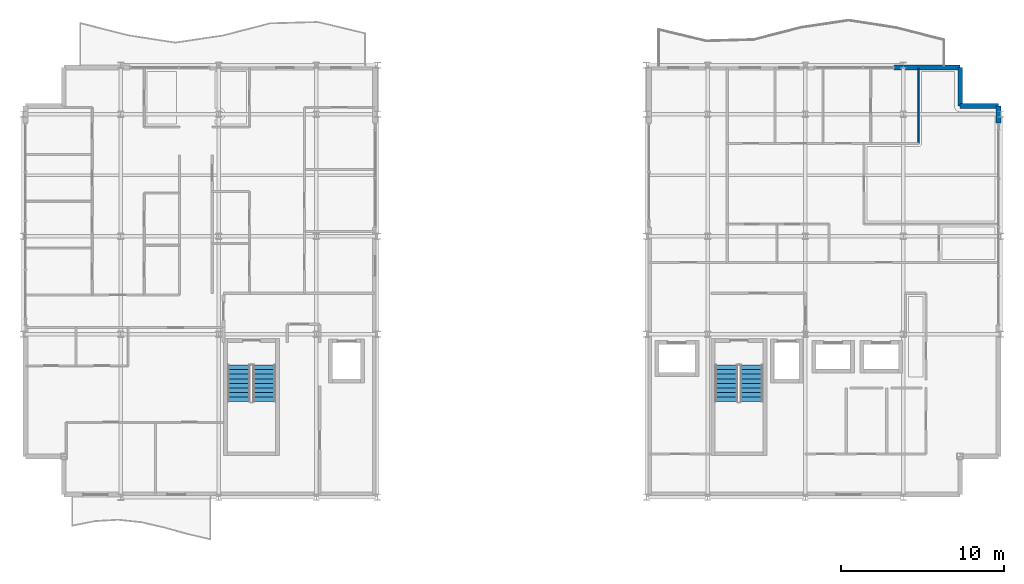
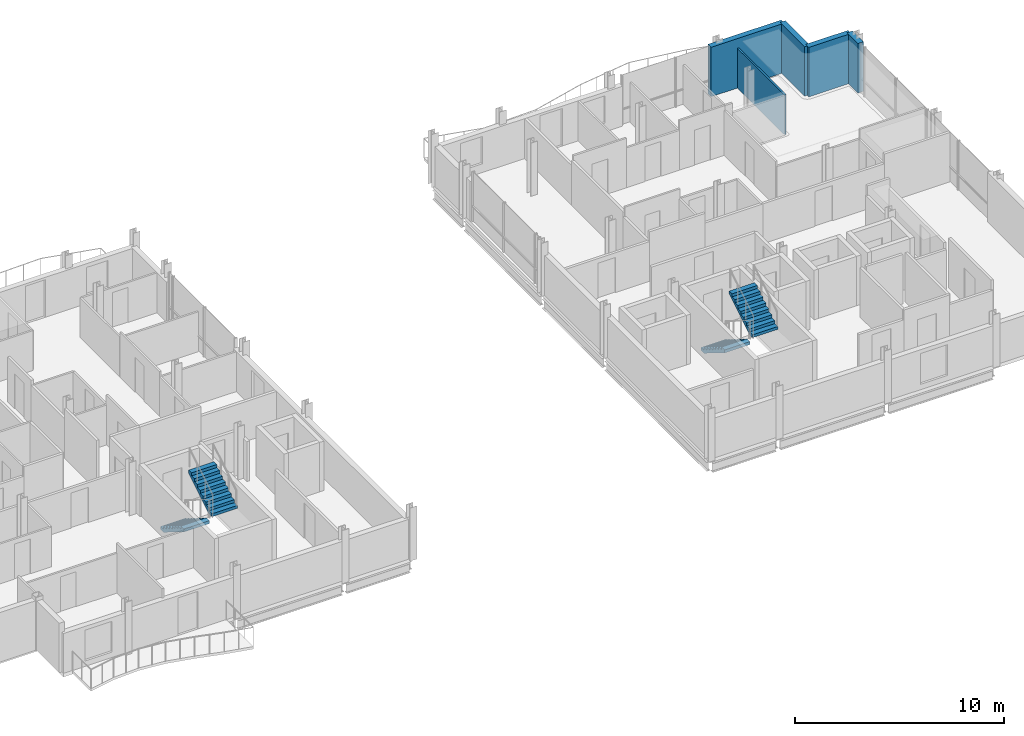
# One storey, part 27 of 29: 5 walls, 4 stair flights, 2 elements without a shape of their own.
"""IFC4 building model written with IfcOpenShell, lengths in metres."""

from ifc_helpers import new_model, si_unit, direction, frame, frame_2d, origin, place, context, subcontext, project, spatial, polyline, rectangle, outline, extrude, material, layer, layer_set, type_object, element, aggregate, save


model = new_model("IFC4")

# Units and contexts
model_context = context("Model", 3, precision=1e-05, world=origin(), true_north=direction((0.0, 1.0)))
body_context = subcontext(model_context, "Body", "Model", "MODEL_VIEW")
ifc_project = project(units=[si_unit("LENGTHUNIT", "METRE"), si_unit("AREAUNIT", "SQUARE_METRE"), si_unit("VOLUMEUNIT", "CUBIC_METRE"), si_unit("PLANEANGLEUNIT", "RADIAN"), si_unit("MASSUNIT", "GRAM", prefix="KILO")], contexts=[model_context])

# Site, building, storey
site_placement = place(None, origin())
site = spatial("IfcSite", under=ifc_project, at=site_placement, CompositionType="ELEMENT")
building_placement = place(site_placement, origin())
building = spatial("IfcBuilding", under=site, at=building_placement, Name="Brevholm Reach", CompositionType="ELEMENT")
storey_placement = place(building_placement, frame((0.0, 0.0, 208.0)))
storey = spatial("IfcBuildingStorey", under=building, at=storey_placement, Name="L63", CompositionType="ELEMENT", Elevation=208.0)

# Walls
ifc_material_1 = material(Name="Concrete C40/50", Category="concrete")
ifc_layer_1 = layer(ifc_material_1, 0.300048828125)
ifc_layer_set_1 = layer_set([ifc_layer_1], Name="Concrete C40/50")
wall_type_1 = type_object("IfcWallType", Name="WAL-EXT-300", PredefinedType="STANDARD", material=ifc_layer_set_1)
for number, where, z_axis, x_axis, name in (
    (1, (59.85009765625, 24.0, 0.0), (0.0, 0.0, 1.0), (-1.0, 0.0, 0.0), "L63 Facade Wall WAL-L63-EW-CNE1"),
    (2, (57.5, 24.0, 0.0), (0.0, 0.0, 1.0), (0.0, 1.0, 0.0), "L63 Facade Wall WAL-L63-EW-CNE2"),
):
    element("IfcWall", number, at=place(storey_placement, frame(where, z_axis=z_axis, x_axis=x_axis)), inside=storey, type_object=wall_type_1, Name=name, PredefinedType="STANDARD", context=body_context, shape_type="SweptSolid", body=[
        extrude(rectangle(XDim=2.35009765625, YDim=0.300048828125, at=frame_2d((1.175048828125, 0.0))), origin(), (0.0, 0.0, 1.0), 2.889892578125),
    ])
wall_1_placement = place(storey_placement, frame((59.85009765625, 22.949951171875, 0.0), z_axis=(0.0, 0.0, 1.0), x_axis=(0.0, 1.0, 0.0)))
element("IfcWall", 3, at=wall_1_placement, inside=storey, type_object=wall_type_1, Name="L63 Facade Wall WAL-L63-EW-EN", PredefinedType="STANDARD", context=body_context, shape_type="SweptSolid", body=[
    extrude(rectangle(XDim=1.050048828125, YDim=0.300048828125, at=frame_2d((0.52490234375, 0.0))), origin(), (0.0, 0.0, 1.0), 2.889892578125),
])
wall_2_placement = place(storey_placement, frame((53.449951171875, 26.35009765625, 0.0), z_axis=(0.0, 0.0, 1.0), x_axis=(1.0, 0.0, 0.0)))
element("IfcWall", 4, at=wall_2_placement, inside=storey, type_object=wall_type_1, Name="L63 Facade Wall WAL-L63-EW-NP2", PredefinedType="STANDARD", context=body_context, shape_type="SweptSolid", body=[
    extrude(rectangle(XDim=4.050048828125, YDim=0.300048828125, at=frame_2d((2.02490234375, 0.0))), origin(), (0.0, 0.0, 1.0), 2.889892578125),
])
ifc_material_2 = material(Name="Moisture-Resistant Acoustic Gypsum Stud Partition 100 mm", Category="gypsum")
ifc_layer_2 = layer(ifc_material_2, 0.10009765625)
ifc_layer_set_2 = layer_set([ifc_layer_2], Name="Moisture-Resistant Acoustic Gypsum Stud Partition 100 mm")
wall_type_2 = type_object("IfcWallType", Name="WAL-PRT-100", PredefinedType="PARTITIONING", material=ifc_layer_set_2)
wall_3_placement = place(storey_placement, frame((54.949951171875, 21.699951171875, 0.0), z_axis=(0.0, 0.0, 1.0), x_axis=(0.0, 1.0, 0.0)))
element("IfcWall", 5, at=wall_3_placement, inside=storey, type_object=wall_type_2, Name="L63 Internal Partition 090", PredefinedType="PARTITIONING", context=body_context, shape_type="SweptSolid", body=[
    extrude(rectangle(XDim=4.60009765625, YDim=0.10009765625, at=frame_2d((2.300048828125, 0.0))), origin(), (0.0, 0.0, 1.0), 2.325439453125),
])

# Stair, stair flights
ifc_material_3 = material(Name="Precast Concrete C40/50", Category="concrete")
stair_type = type_object("IfcStairType", Name="STR-ESC-1400", PredefinedType="DOUBLE_RETURN_STAIR", material=ifc_material_3)
stair_1_placement = place(storey_placement, origin())
stair_1 = element("IfcStair", 6, at=stair_1_placement, inside=storey, type_object=stair_type, Name="L63 ST-1", PredefinedType="DOUBLE_RETURN_STAIR")
ifc_material_4 = material(Name="Precast Concrete C40/50", Category="concrete")
ifc_layer_3 = layer(ifc_material_4, 0.18505859375)
ifc_layer_set_3 = layer_set([ifc_layer_3], Name="Precast Concrete C40/50")
stair_flight_type = type_object("IfcStairFlightType", Name="STF-PRC-185", PredefinedType="STRAIGHT", material=ifc_layer_set_3)
stair_flight_1_placement = place(storey_placement, frame((13.25, 8.10009765625, 0.0), z_axis=(0.0, 0.0, 1.0), x_axis=(0.0, -1.0, 0.0)))
stair_flight_1 = element("IfcStairFlight", 7, at=stair_flight_1_placement, type_object=stair_flight_type, Name="ST-1 flight 1", NumberOfRisers=9, NumberOfTreads=8, PredefinedType="STRAIGHT", RiserHeight=0.172222222, TreadLength=0.28, context=body_context, shape_type="SweptSolid", body=[
    extrude(outline(polyline([(0.0, 0.0), (0.0, 0.172119140625), (0.280029296875, 0.172119140625), (0.280029296875, 0.344482421875), (0.56005859375, 0.344482421875), (0.56005859375, 0.5166015625), (0.840087890625, 0.5166015625), (0.840087890625, 0.68896484375), (1.1201171875, 0.68896484375), (1.1201171875, 0.861083984375), (1.39990234375, 0.861083984375), (1.39990234375, 1.033447265625), (1.679931640625, 1.033447265625), (1.679931640625, 1.20556640625), (1.9599609375, 1.20556640625), (1.9599609375, 1.377685546875), (2.239990234375, 1.377685546875), (2.239990234375, 1.550048828125), (2.239990234375, 1.201904296875), (0.2861328125, 0.0), (0.0, 0.0)])), frame((0.0, 0.699951171875, 0.0), z_axis=(0.0, -1.0, 0.0), x_axis=(1.0, 0.0, 0.0)), (0.0, 0.0, 1.0), 1.39990234375),
])
stair_flight_2_placement = place(storey_placement, frame((14.800048828125, 5.860107421875, 1.550048828125), z_axis=(0.0, 0.0, 1.0), x_axis=(0.0, 1.0, 0.0)))
stair_flight_2 = element("IfcStairFlight", 8, at=stair_flight_2_placement, type_object=stair_flight_type, Name="ST-1 flight 2", NumberOfRisers=9, NumberOfTreads=8, PredefinedType="STRAIGHT", RiserHeight=0.172222222, TreadLength=0.28, context=body_context, shape_type="SweptSolid", body=[
    extrude(outline(polyline([(0.0, 0.0), (0.0, 0.172119140625), (0.280029296875, 0.172119140625), (0.280029296875, 0.344482421875), (0.56005859375, 0.344482421875), (0.56005859375, 0.5166015625), (0.840087890625, 0.5166015625), (0.840087890625, 0.68896484375), (1.1201171875, 0.68896484375), (1.1201171875, 0.861083984375), (1.39990234375, 0.861083984375), (1.39990234375, 1.033447265625), (1.679931640625, 1.033447265625), (1.679931640625, 1.20556640625), (1.9599609375, 1.20556640625), (1.9599609375, 1.377685546875), (2.239990234375, 1.377685546875), (2.239990234375, 1.550048828125), (2.239990234375, 1.201904296875), (0.2861328125, 0.0), (0.0, 0.0)])), frame((0.0, 0.699951171875, 0.0), z_axis=(0.0, -1.0, 0.0), x_axis=(1.0, 0.0, 0.0)), (0.0, 0.0, 1.0), 1.39990234375),
])
aggregate(stair_1, [stair_flight_1, stair_flight_2])

stair_2_placement = place(storey_placement, origin())
stair_2 = element("IfcStair", 9, at=stair_2_placement, inside=storey, type_object=stair_type, Name="L63 ST-2", PredefinedType="DOUBLE_RETURN_STAIR")
stair_flight_3_placement = place(storey_placement, frame((43.14990234375, 8.10009765625, 0.0), z_axis=(0.0, 0.0, 1.0), x_axis=(0.0, -1.0, 0.0)))
stair_flight_3 = element("IfcStairFlight", 10, at=stair_flight_3_placement, type_object=stair_flight_type, Name="ST-2 flight 1", NumberOfRisers=9, NumberOfTreads=8, PredefinedType="STRAIGHT", RiserHeight=0.172222222, TreadLength=0.28, context=body_context, shape_type="SweptSolid", body=[
    extrude(outline(polyline([(0.0, 0.0), (0.0, 0.172119140625), (0.280029296875, 0.172119140625), (0.280029296875, 0.344482421875), (0.56005859375, 0.344482421875), (0.56005859375, 0.5166015625), (0.840087890625, 0.5166015625), (0.840087890625, 0.68896484375), (1.1201171875, 0.68896484375), (1.1201171875, 0.861083984375), (1.39990234375, 0.861083984375), (1.39990234375, 1.033447265625), (1.679931640625, 1.033447265625), (1.679931640625, 1.20556640625), (1.9599609375, 1.20556640625), (1.9599609375, 1.377685546875), (2.239990234375, 1.377685546875), (2.239990234375, 1.550048828125), (2.239990234375, 1.201904296875), (0.2861328125, 0.0), (0.0, 0.0)])), frame((0.0, 0.699951171875, 0.0), z_axis=(0.0, -1.0, 0.0), x_axis=(1.0, 0.0, 0.0)), (0.0, 0.0, 1.0), 1.39990234375),
])
stair_flight_4_placement = place(storey_placement, frame((44.699951171875, 5.860107421875, 1.550048828125), z_axis=(0.0, 0.0, 1.0), x_axis=(0.0, 1.0, 0.0)))
stair_flight_4 = element("IfcStairFlight", 11, at=stair_flight_4_placement, type_object=stair_flight_type, Name="ST-2 flight 2", NumberOfRisers=9, NumberOfTreads=8, PredefinedType="STRAIGHT", RiserHeight=0.172222222, TreadLength=0.28, context=body_context, shape_type="SweptSolid", body=[
    extrude(outline(polyline([(0.0, 0.0), (0.0, 0.172119140625), (0.280029296875, 0.172119140625), (0.280029296875, 0.344482421875), (0.56005859375, 0.344482421875), (0.56005859375, 0.5166015625), (0.840087890625, 0.5166015625), (0.840087890625, 0.68896484375), (1.1201171875, 0.68896484375), (1.1201171875, 0.861083984375), (1.39990234375, 0.861083984375), (1.39990234375, 1.033447265625), (1.679931640625, 1.033447265625), (1.679931640625, 1.20556640625), (1.9599609375, 1.20556640625), (1.9599609375, 1.377685546875), (2.239990234375, 1.377685546875), (2.239990234375, 1.550048828125), (2.239990234375, 1.201904296875), (0.2861328125, 0.0), (0.0, 0.0)])), frame((0.0, 0.699951171875, 0.0), z_axis=(0.0, -1.0, 0.0), x_axis=(1.0, 0.0, 0.0)), (0.0, 0.0, 1.0), 1.39990234375),
])
aggregate(stair_2, [stair_flight_3, stair_flight_4])

save(model, "model.ifc")
